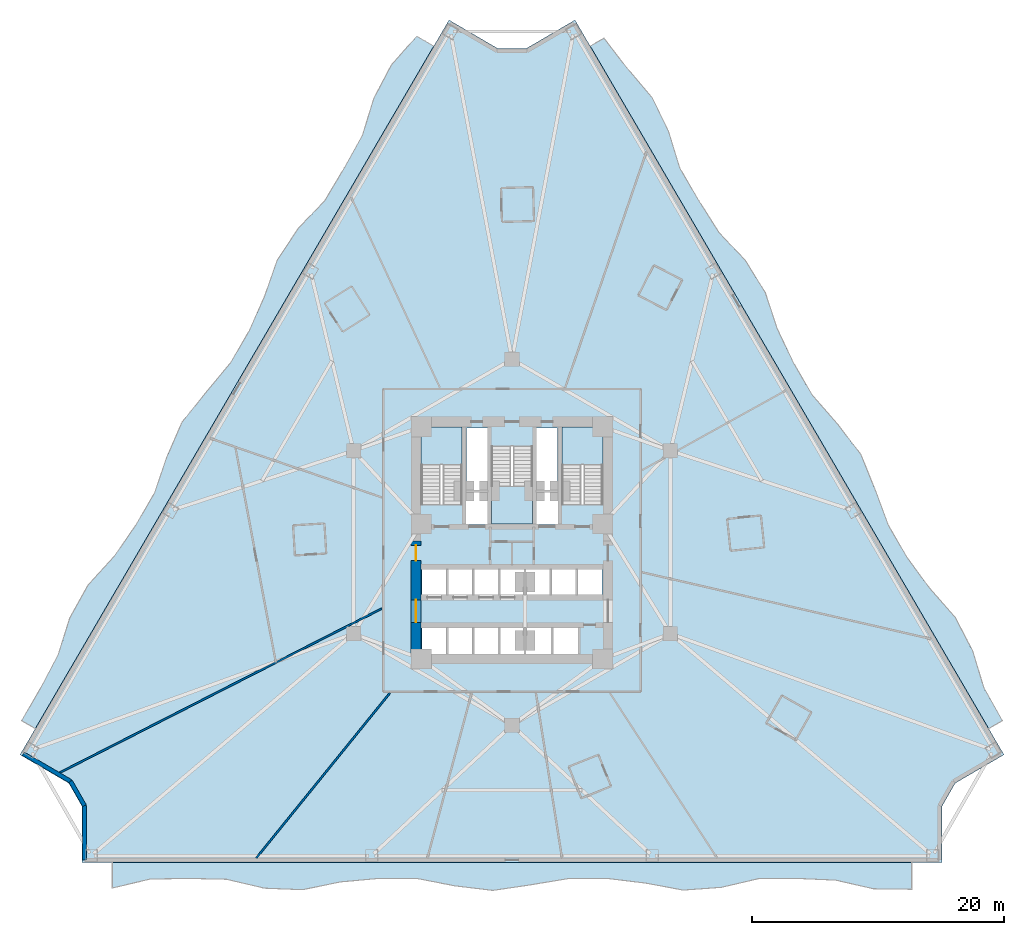
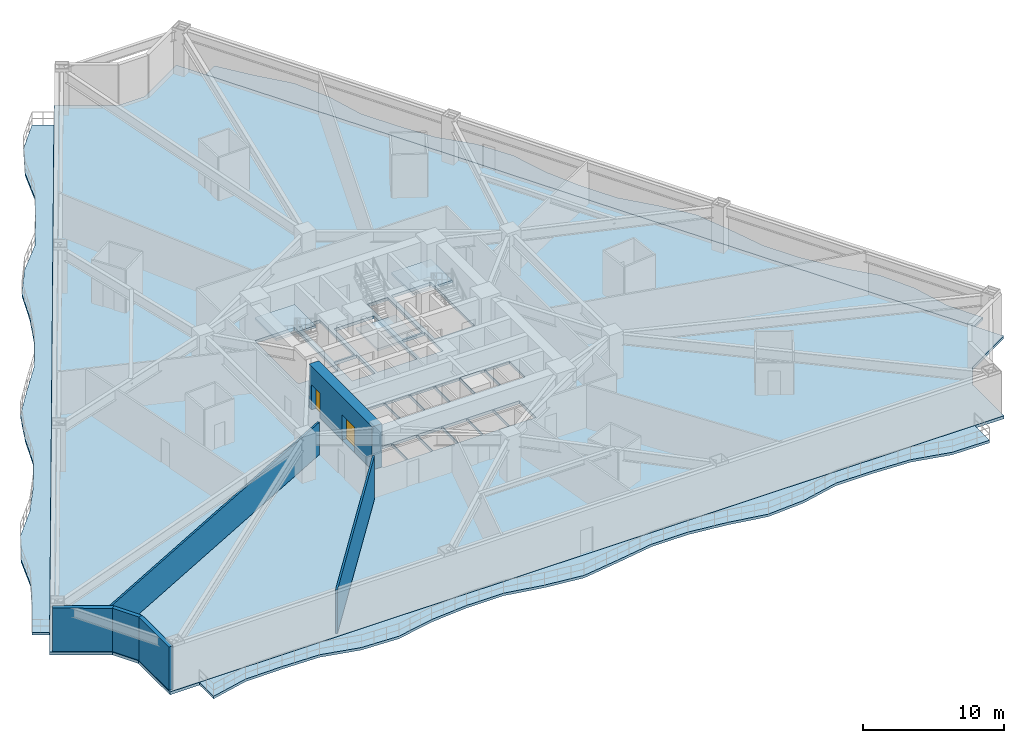
# One storey, part 2 of 12: 7 slabs, 6 walls, 2 doors, 2 openings, 3 elements without a shape of their own.
"""IFC4 building model written with IfcOpenShell, lengths in metres."""

from ifc_helpers import new_model, si_unit, direction, frame, frame_2d, origin, place, context, subcontext, project, spatial, polyline, rectangle, outline, extrude, material, layer, layer_set, type_object, element, fill, aggregate, save


model = new_model("IFC4")

# Units and contexts
model_context = context("Model", 3, precision=1e-05, world=origin(), true_north=direction((0.0, 1.0)))
body_context = subcontext(model_context, "Body", "Model", "MODEL_VIEW")
ifc_project = project(units=[si_unit("LENGTHUNIT", "METRE"), si_unit("AREAUNIT", "SQUARE_METRE"), si_unit("VOLUMEUNIT", "CUBIC_METRE"), si_unit("PLANEANGLEUNIT", "RADIAN"), si_unit("MASSUNIT", "GRAM", prefix="KILO")], contexts=[model_context])

# Site, building, storey
site_placement = place(None, origin())
site = spatial("IfcSite", under=ifc_project, at=site_placement, CompositionType="ELEMENT")
building_placement = place(site_placement, origin())
building = spatial("IfcBuilding", under=site, at=building_placement, Name="Apsidion Concourse Tower", CompositionType="ELEMENT")
storey_placement = place(building_placement, frame((0.0, 0.0, 42.39990234375)))
storey = spatial("IfcBuildingStorey", under=building, at=storey_placement, Name="L08", CompositionType="ELEMENT", Elevation=42.39990234375)

# Slabs
ifc_material_1 = material(Name="Concrete C50/60", Category="concrete")
ifc_layer_1 = layer(ifc_material_1, 0.219970703125)
ifc_layer_set_1 = layer_set([ifc_layer_1], Name="Concrete C50/60")
slab_type_1 = type_object("IfcSlabType", Name="SL-BAL-220", PredefinedType="FLOOR", material=ifc_layer_set_1)
slab_1_placement = place(storey_placement, frame((0.0, 0.0, -0.219970703125)))
element("IfcSlab", 1, at=slab_1_placement, inside=storey, type_object=slab_type_1, Name="L08 Face 1 Rippling Balcony Slab", PredefinedType="FLOOR", context=body_context, shape_type="SweptSolid", body=[
    extrude(outline(polyline([(-6.204833984375, 39.32275390625), (-7.708740234375, 36.746826171875), (-9.212890625, 34.1708984375), (-10.716796875, 31.594970703125), (-12.220947265625, 29.018798828125), (-13.724853515625, 26.44287109375), (-15.22900390625, 23.866943359375), (-16.73291015625, 21.291015625), (-18.237060546875, 18.715087890625), (-19.740966796875, 16.138916015625), (-21.2451171875, 13.56298828125), (-22.7490234375, 10.987060546875), (-24.253173828125, 8.410888671875), (-25.757080078125, 5.8349609375), (-27.260986328125, 3.259033203125), (-28.76513671875, 0.68310546875), (-30.269287109375, -1.892822265625), (-31.773193359375, -4.468994140625), (-33.277099609375, -7.044921875), (-34.78125, -9.620849609375), (-36.285400390625, -12.19677734375), (-37.789306640625, -14.772705078125), (-38.868896484375, -14.142578125), (-37.36474609375, -11.566650390625), (-35.97265625, -8.92529296875), (-35.0576171875, -6.00537109375), (-33.6025390625, -3.40087890625), (-31.547607421875, -1.146484375), (-29.844482421875, 1.313232421875), (-28.340576171875, 3.889404296875), (-27.354736328125, 6.767822265625), (-26.151123046875, 9.519287109375), (-24.263671875, 11.871337890625), (-22.324462890625, 14.193359375), (-20.820556640625, 16.769287109375), (-19.605712890625, 19.51416015625), (-18.599609375, 22.380859375), (-16.947998046875, 24.87060546875), (-14.831298828125, 27.0888671875), (-13.30029296875, 29.649169921875), (-11.85107421875, 32.257080078125), (-10.95361328125, 35.187255859375), (-9.564453125, 37.830322265625), (-7.54345703125, 40.104248046875), (-6.204833984375, 39.32275390625)])), origin(), (0.0, 0.0, 1.0), 0.219970703125),
])
slab_2_placement = place(storey_placement, frame((0.0, 0.0, -0.219970703125)))
element("IfcSlab", 2, at=slab_2_placement, inside=storey, type_object=slab_type_1, Name="L08 Face 2 Rippling Balcony Slab", PredefinedType="FLOOR", context=body_context, shape_type="SweptSolid", body=[
    extrude(outline(polyline([(-31.68798828125, -25.39990234375), (-28.670166015625, -25.39990234375), (-25.65234375, -25.39990234375), (-22.634521484375, -25.39990234375), (-19.616455078125, -25.39990234375), (-16.598388671875, -25.39990234375), (-13.58056640625, -25.39990234375), (-10.562744140625, -25.39990234375), (-7.544921875, -25.39990234375), (-4.52685546875, -25.39990234375), (-1.509033203125, -25.39990234375), (1.509033203125, -25.39990234375), (4.52685546875, -25.39990234375), (7.544921875, -25.39990234375), (10.562744140625, -25.39990234375), (13.58056640625, -25.39990234375), (16.598388671875, -25.39990234375), (19.616455078125, -25.39990234375), (22.634521484375, -25.39990234375), (25.65234375, -25.39990234375), (28.670166015625, -25.39990234375), (31.68798828125, -25.39990234375), (31.68798828125, -27.50732421875), (28.670166015625, -27.469482421875), (25.65234375, -26.783447265625), (22.634521484375, -26.64990234375), (19.616455078125, -26.64990234375), (16.598388671875, -27.35498046875), (13.58056640625, -27.573486328125), (10.562744140625, -27.013916015625), (7.544921875, -26.64990234375), (4.52685546875, -26.64990234375), (1.509033203125, -27.151611328125), (-1.509033203125, -27.598388671875), (-4.52685546875, -27.236083984375), (-7.544921875, -26.64990234375), (-10.562744140625, -26.64990234375), (-13.58056640625, -26.922607421875), (-16.598388671875, -27.54150390625), (-19.616455078125, -27.42236328125), (-22.634521484375, -26.714111328125), (-25.65234375, -26.64990234375), (-28.670166015625, -26.697021484375), (-31.68798828125, -27.40966796875), (-31.68798828125, -25.39990234375)])), origin(), (0.0, 0.0, 1.0), 0.219970703125),
])
slab_3_placement = place(storey_placement, frame((0.0, 0.0, -0.219970703125)))
element("IfcSlab", 3, at=slab_3_placement, inside=storey, type_object=slab_type_1, Name="L08 Face 3 Rippling Balcony Slab", PredefinedType="FLOOR", context=body_context, shape_type="SweptSolid", body=[
    extrude(outline(polyline([(37.789306640625, -14.772705078125), (36.285400390625, -12.19677734375), (34.78125, -9.620849609375), (33.277099609375, -7.044921875), (31.773193359375, -4.468994140625), (30.269287109375, -1.892822265625), (28.76513671875, 0.68310546875), (27.260986328125, 3.259033203125), (25.757080078125, 5.8349609375), (24.253173828125, 8.410888671875), (22.7490234375, 10.987060546875), (21.2451171875, 13.56298828125), (19.740966796875, 16.138916015625), (18.237060546875, 18.715087890625), (16.73291015625, 21.291015625), (15.22900390625, 23.866943359375), (13.724853515625, 26.44287109375), (12.220947265625, 29.018798828125), (10.716796875, 31.594970703125), (9.212890625, 34.1708984375), (7.708740234375, 36.746826171875), (6.204833984375, 39.32275390625), (7.2841796875, 39.953125), (9.12255859375, 37.572265625), (11.093017578125, 35.268798828125), (12.401611328125, 32.57861328125), (13.30029296875, 29.649169921875), (14.804443359375, 27.0732421875), (16.406005859375, 24.55419921875), (18.50390625, 22.324951171875), (20.073486328125, 19.787109375), (21.034423828125, 16.89404296875), (22.324462890625, 14.193359375), (23.82861328125, 11.6171875), (25.83740234375, 9.3359375), (27.65625, 6.94384765625), (28.789794921875, 4.151611328125), (29.844482421875, 1.313232421875), (31.3486328125, -1.2626953125), (33.126708984375, -3.6787109375), (35.138671875, -5.9580078125), (36.51123046875, -8.610595703125), (37.405517578125, -11.542724609375), (38.868896484375, -14.142578125), (37.789306640625, -14.772705078125)])), origin(), (0.0, 0.0, 1.0), 0.219970703125),
])
ifc_layer_2 = layer(ifc_material_1, 0.25)
ifc_layer_set_2 = layer_set([ifc_layer_2], Name="Concrete C50/60")
slab_type_2 = type_object("IfcSlabType", Name="SL-FLR-250", PredefinedType="FLOOR", material=ifc_layer_set_2)
slab_4_placement = place(storey_placement, frame((0.0, 0.0, -0.25)))
element("IfcSlab", 4, at=slab_4_placement, inside=storey, type_object=slab_type_2, Name="L08 Structural Floor Slab", PredefinedType="FLOOR", context=body_context, shape_type="SweptSolid", body=[
    extrude(outline(polyline([(4.99462890625, 41.3955078125), (1.13427734375, 39.141357421875), (-1.13427734375, 39.141357421875), (-4.99462890625, 41.3955078125), (-38.99951171875, -16.845458984375), (-35.138916015625, -19.099365234375), (-34.088134765625, -20.9296875), (-34.088134765625, -25.39990234375), (34.088134765625, -25.39990234375), (34.088134765625, -20.9296875), (35.138916015625, -19.099365234375), (38.99951171875, -16.845458984375), (4.99462890625, 41.3955078125)]), holes=[polyline([(-3.949951171875, 3.0), (-3.949951171875, 9.14990234375), (-7.199951171875, 9.14990234375), (-7.199951171875, 3.0), (-3.949951171875, 3.0)]), polyline([(7.199951171875, 3.0), (7.199951171875, 9.14990234375), (3.949951171875, 9.14990234375), (3.949951171875, 3.0), (7.199951171875, 3.0)]), polyline([(-1.625, 7.60009765625), (-1.625, 1.449951171875), (1.625, 1.449951171875), (1.625, 7.60009765625), (-1.625, 7.60009765625)]), polyline([(-7.14501953125, -4.300048828125), (-5.155029296875, -4.300048828125), (-5.155029296875, -2.050048828125), (-7.14501953125, -2.050048828125), (-7.14501953125, -4.300048828125)]), polyline([(-5.094970703125, -4.300048828125), (-3.10498046875, -4.300048828125), (-3.10498046875, -2.050048828125), (-5.094970703125, -2.050048828125), (-5.094970703125, -4.300048828125)]), polyline([(-3.044921875, -4.300048828125), (-1.054931640625, -4.300048828125), (-1.054931640625, -2.050048828125), (-3.044921875, -2.050048828125), (-3.044921875, -4.300048828125)]), polyline([(-0.9951171875, -4.300048828125), (0.9951171875, -4.300048828125), (0.9951171875, -2.050048828125), (-0.9951171875, -2.050048828125), (-0.9951171875, -4.300048828125)]), polyline([(1.054931640625, -4.300048828125), (3.044921875, -4.300048828125), (3.044921875, -2.050048828125), (1.054931640625, -2.050048828125), (1.054931640625, -4.300048828125)]), polyline([(3.10498046875, -4.300048828125), (5.094970703125, -4.300048828125), (5.094970703125, -2.050048828125), (3.10498046875, -2.050048828125), (3.10498046875, -4.300048828125)]), polyline([(5.155029296875, -4.300048828125), (7.14501953125, -4.300048828125), (7.14501953125, -2.050048828125), (5.155029296875, -2.050048828125), (5.155029296875, -4.300048828125)]), polyline([(-7.14501953125, -8.949951171875), (-5.155029296875, -8.949951171875), (-5.155029296875, -6.64990234375), (-7.14501953125, -6.64990234375), (-7.14501953125, -8.949951171875)]), polyline([(-5.094970703125, -8.949951171875), (-3.10498046875, -8.949951171875), (-3.10498046875, -6.64990234375), (-5.094970703125, -6.64990234375), (-5.094970703125, -8.949951171875)]), polyline([(-3.044921875, -8.949951171875), (-1.054931640625, -8.949951171875), (-1.054931640625, -6.64990234375), (-3.044921875, -6.64990234375), (-3.044921875, -8.949951171875)]), polyline([(-0.9951171875, -8.949951171875), (0.9951171875, -8.949951171875), (0.9951171875, -6.64990234375), (-0.9951171875, -6.64990234375), (-0.9951171875, -8.949951171875)]), polyline([(1.044921875, -9.0), (3.155029296875, -9.0), (3.155029296875, -6.64990234375), (1.044921875, -6.64990234375), (1.044921875, -9.0)]), polyline([(3.195068359375, -9.0), (5.304931640625, -9.0), (5.304931640625, -6.64990234375), (3.195068359375, -6.64990234375), (3.195068359375, -9.0)]), polyline([(-3.7099609375, 1.39990234375), (-1.85009765625, 1.39990234375), (-1.85009765625, 4.0), (-3.7099609375, 4.0), (-3.7099609375, 1.39990234375)]), polyline([(1.85009765625, 1.39990234375), (3.7099609375, 1.39990234375), (3.7099609375, 4.0), (1.85009765625, 4.0), (1.85009765625, 1.39990234375)]), polyline([(-3.6201171875, 4.14990234375), (-1.93994140625, 4.14990234375), (-1.93994140625, 9.050048828125), (-3.6201171875, 9.050048828125), (-3.6201171875, 4.14990234375)]), polyline([(1.93994140625, 4.14990234375), (3.6201171875, 4.14990234375), (3.6201171875, 9.050048828125), (1.93994140625, 9.050048828125), (1.93994140625, 4.14990234375)])]), origin(), (0.0, 0.0, 1.0), 0.25),
])

# Stair, slab
ifc_material_2 = material(Name="Precast concrete C40/50", Category="concrete")
stair_type = type_object("IfcStairType", Name="ST-DL-1550", PredefinedType="HALF_TURN_STAIR", material=ifc_material_2)
stair_1_placement = place(storey_placement, origin())
stair_1 = element("IfcStair", 5, at=stair_1_placement, inside=storey, type_object=stair_type, Name="L08 Protected Core Exit Stair ST1", PredefinedType="HALF_TURN_STAIR")
ifc_layer_3 = layer(ifc_material_1, 0.199951171875)
ifc_layer_set_3 = layer_set([ifc_layer_3], Name="Concrete C50/60")
slab_type_3 = type_object("IfcSlabType", Name="SL-ST-LAND-200", PredefinedType="LANDING", material=ifc_layer_set_3)
slab_5_placement = place(storey_placement, frame((0.0, 0.0, 1.800048828125)))
slab_5 = element("IfcSlab", 6, at=slab_5_placement, type_object=slab_type_3, Name="ST1 landing 1", PredefinedType="LANDING", context=body_context, shape_type="SweptSolid", body=[
    extrude(outline(polyline([(-3.949951171875, 6.135009765625), (-3.949951171875, 9.14990234375), (-7.199951171875, 9.14990234375), (-7.199951171875, 6.135009765625), (-3.949951171875, 6.135009765625)])), origin(), (0.0, 0.0, 1.0), 0.199951171875),
])
aggregate(stair_1, [slab_5])

stair_2_placement = place(storey_placement, origin())
stair_2 = element("IfcStair", 7, at=stair_2_placement, inside=storey, type_object=stair_type, Name="L08 Protected Core Exit Stair ST2", PredefinedType="HALF_TURN_STAIR")
slab_6_placement = place(storey_placement, frame((0.0, 0.0, 1.800048828125)))
slab_6 = element("IfcSlab", 8, at=slab_6_placement, type_object=slab_type_3, Name="ST2 landing 1", PredefinedType="LANDING", context=body_context, shape_type="SweptSolid", body=[
    extrude(outline(polyline([(7.199951171875, 6.135009765625), (7.199951171875, 9.14990234375), (3.949951171875, 9.14990234375), (3.949951171875, 6.135009765625), (7.199951171875, 6.135009765625)])), origin(), (0.0, 0.0, 1.0), 0.199951171875),
])
aggregate(stair_2, [slab_6])

stair_3_placement = place(storey_placement, origin())
stair_3 = element("IfcStair", 9, at=stair_3_placement, inside=storey, type_object=stair_type, Name="L08 Protected Core Exit Stair ST3", PredefinedType="HALF_TURN_STAIR")
slab_7_placement = place(storey_placement, frame((0.0, 0.0, 1.800048828125)))
slab_7 = element("IfcSlab", 10, at=slab_7_placement, type_object=slab_type_3, Name="ST3 landing 1", PredefinedType="LANDING", context=body_context, shape_type="SweptSolid", body=[
    extrude(outline(polyline([(-1.625, 4.465087890625), (-1.625, 1.449951171875), (1.625, 1.449951171875), (1.625, 4.465087890625), (-1.625, 4.465087890625)])), origin(), (0.0, 0.0, 1.0), 0.199951171875),
])
aggregate(stair_3, [slab_7])

# Walls
ifc_layer_4 = layer(ifc_material_2, 0.320068359375)
ifc_layer_set_4 = layer_set([ifc_layer_4], Name="Precast concrete C40/50")
wall_type_1 = type_object("IfcWallType", Name="WL-EXT-320", PredefinedType="STANDARD", material=ifc_layer_set_4)
wall_1_placement = place(storey_placement, frame((-33.88818359375, -25.199951171875, 0.0), z_axis=(0.0, 0.0, 1.0), x_axis=(0.0, 1.0, 0.0)))
element("IfcWall", 11, at=wall_1_placement, inside=storey, type_object=wall_type_1, Name="L08 Precast Stone Facade Wall 06", PredefinedType="STANDARD", context=body_context, shape_type="SweptSolid", body=[
    extrude(rectangle(XDim=4.32373046875, YDim=0.320068359375, at=frame_2d((2.161865234375, 0.0))), origin(), (0.0, 0.0, 1.0), 3.75),
])
wall_2_placement = place(storey_placement, frame((-33.88818359375, -20.876220703125, 0.0), z_axis=(0.0, 0.0, 1.0), x_axis=(-0.497881323344, 0.867245171717, 0.0)))
element("IfcWall", 12, at=wall_2_placement, inside=storey, type_object=wall_type_1, Name="L08 Precast Stone Facade Wall 07", PredefinedType="STANDARD", context=body_context, shape_type="SweptSolid", body=[
    extrude(rectangle(XDim=2.216796875, YDim=0.320068359375, at=frame_2d((1.1083984375, 0.0))), origin(), (0.0, 0.0, 1.0), 3.75),
])
wall_3_placement = place(storey_placement, frame((-34.991943359375, -18.95361328125, 0.0), z_axis=(0.0, 0.0, 1.0), x_axis=(-0.863569936823, 0.504229079105, 0.0)))
element("IfcWall", 13, at=wall_3_placement, inside=storey, type_object=wall_type_1, Name="L08 Precast Stone Facade Wall 08", PredefinedType="STANDARD", context=body_context, shape_type="SweptSolid", body=[
    extrude(rectangle(XDim=4.32373046875, YDim=0.320068359375, at=frame_2d((2.161865234375, 0.0))), origin(), (0.0, 0.0, 1.0), 3.75),
])
ifc_material_3 = material(Name="Gypsum plasterboard partition")
ifc_layer_5 = layer(ifc_material_3, 0.14990234375)
ifc_layer_set_5 = layer_set([ifc_layer_5], Name="Gypsum plasterboard partition")
wall_type_2 = type_object("IfcWallType", Name="WL-INT-PAR-150", PredefinedType="PARTITIONING", material=ifc_layer_set_5)
wall_4_placement = place(storey_placement, frame((-10.304931640625, -5.250732421875, 0.0), z_axis=(0.0, 0.0, 1.0), x_axis=(-0.89100854316, -0.453986537263, 0.0)))
element("IfcWall", 14, at=wall_4_placement, inside=storey, type_object=wall_type_2, Name="L08 Interior Partition WL-L08-RAD-05-1", PredefinedType="PARTITIONING", context=body_context, shape_type="SweptSolid", body=[
    extrude(rectangle(XDim=28.653076171875, YDim=0.14990234375, at=frame_2d((14.32666015625, 0.0))), origin(), (0.0, 0.0, 1.0), 2.798095703125),
])
wall_5_placement = place(storey_placement, frame((-9.680908203125, -11.955078125, 0.0), z_axis=(0.0, 0.0, 1.0), x_axis=(-0.62932934756, -0.777138708532, 0.0)))
element("IfcWall", 15, at=wall_5_placement, inside=storey, type_object=wall_type_2, Name="L08 Interior Partition WL-L08-RAD-06-1", PredefinedType="PARTITIONING", context=body_context, shape_type="SweptSolid", body=[
    extrude(rectangle(XDim=16.81787109375, YDim=0.14990234375, at=frame_2d((8.408935546875, 0.0))), origin(), (0.0, 0.0, 1.0), 3.75),
])

# Wall, openings, doors
ifc_material_4 = material(Name="Concrete C60/75", Category="concrete")
ifc_layer_6 = layer(ifc_material_4, 0.800048828125)
ifc_layer_set_6 = layer_set([ifc_layer_6], Name="Concrete C60/75")
wall_type_3 = type_object("IfcWallType", Name="WL-SH-800", PredefinedType="SHEAR", material=ifc_layer_set_6)
wall_6_placement = place(storey_placement, frame((-7.60009765625, -8.85009765625, 0.0), z_axis=(0.0, 0.0, 1.0), x_axis=(0.0, 1.0, 0.0)))
wall_6 = element("IfcWall", 16, at=wall_6_placement, inside=storey, type_object=wall_type_3, Name="L08 Central Core Shear Wall WS", PredefinedType="SHEAR", context=body_context, shape_type="SweptSolid", body=[
    extrude(rectangle(XDim=8.9501953125, YDim=0.800048828125, at=frame_2d((4.47509765625, 0.0))), origin(), (0.0, 0.0, 1.0), 3.75),
])
opening_1_placement = place(wall_6_placement, frame((2.489990234375, 0.0, 0.0)))
opening_1 = element("IfcOpeningElement", 17, at=opening_1_placement, cuts=wall_6, Name="Opening D-06D", PredefinedType="OPENING", context=body_context, shape_type="SweptSolid", body=[
    extrude(rectangle(XDim=1.800048828125, YDim=2.199951171875, at=frame_2d((0.89990234375, 1.10009765625))), frame((0.0, 0.41015625, 0.0), z_axis=(0.0, -1.0, 0.0), x_axis=(1.0, 0.0, 0.0)), (0.0, 0.0, 1.0), 0.820068359375),
])
opening_2_placement = place(wall_6_placement, frame((7.39990234375, 0.0, 0.0)))
opening_2 = element("IfcOpeningElement", 18, at=opening_2_placement, cuts=wall_6, Name="Opening D-FFL", PredefinedType="OPENING", context=body_context, shape_type="SweptSolid", body=[
    extrude(rectangle(XDim=1.199951171875, YDim=2.14990234375, at=frame_2d((0.60009765625, 1.074951171875))), frame((0.0, 0.41015625, 0.0), z_axis=(0.0, -1.0, 0.0), x_axis=(1.0, 0.0, 0.0)), (0.0, 0.0, 1.0), 0.820068359375),
])
ifc_material_5 = material(Name="Brushed stainless steel 316", Category="steel")
door_type_1 = type_object("IfcDoorType", Name="DR-INT-D06D", OperationType="DOUBLE_DOOR_SINGLE_SWING", PredefinedType="DOOR", material=ifc_material_5)
door_1_placement = place(opening_1_placement, origin())
door_1 = element("IfcDoor", 19, at=door_1_placement, inside=storey, type_object=door_type_1, Name="L08 Passenger Lift Lobby WS Portal Door", OperationType="DOUBLE_DOOR_SINGLE_SWING", OverallHeight=2.199951171875, OverallWidth=1.800048828125, PredefinedType="DOOR", context=body_context, shape_type="SweptSolid", body=[
    extrude(rectangle(XDim=1.800048828125, YDim=2.199951171875, at=frame_2d((0.89990234375, 1.10009765625))), frame((0.0, 0.02490234375, 0.0), z_axis=(0.0, -1.0, 0.0), x_axis=(1.0, 0.0, 0.0)), (0.0, 0.0, 1.0), 0.050048828125),
])
fill(opening_1, door_1)
door_type_2 = type_object("IfcDoorType", Name="DR-INT-FFL", OperationType="SINGLE_SWING_LEFT", PredefinedType="DOOR", material=ifc_material_5)
door_2_placement = place(opening_2_placement, origin())
door_2 = element("IfcDoor", 20, at=door_2_placement, inside=storey, type_object=door_type_2, Name="L08 Firefighting Lift Lobby FF1 Door", OperationType="SINGLE_SWING_LEFT", OverallHeight=2.14990234375, OverallWidth=1.199951171875, PredefinedType="DOOR", context=body_context, shape_type="SweptSolid", body=[
    extrude(rectangle(XDim=1.199951171875, YDim=2.14990234375, at=frame_2d((0.60009765625, 1.074951171875))), frame((0.0, 0.02490234375, 0.0), z_axis=(0.0, -1.0, 0.0), x_axis=(1.0, 0.0, 0.0)), (0.0, 0.0, 1.0), 0.050048828125),
])
fill(opening_2, door_2)

save(model, "model.ifc")
